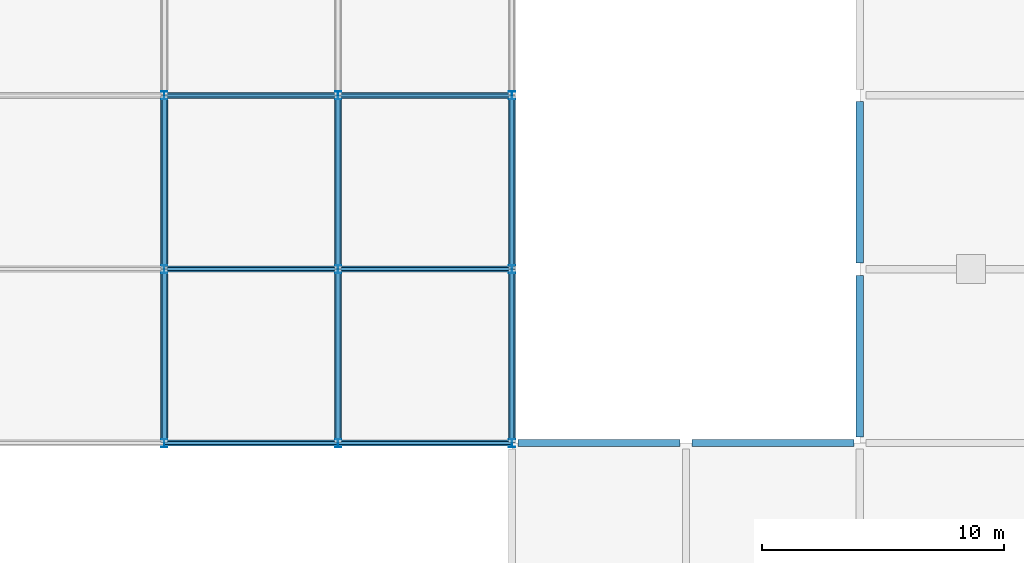
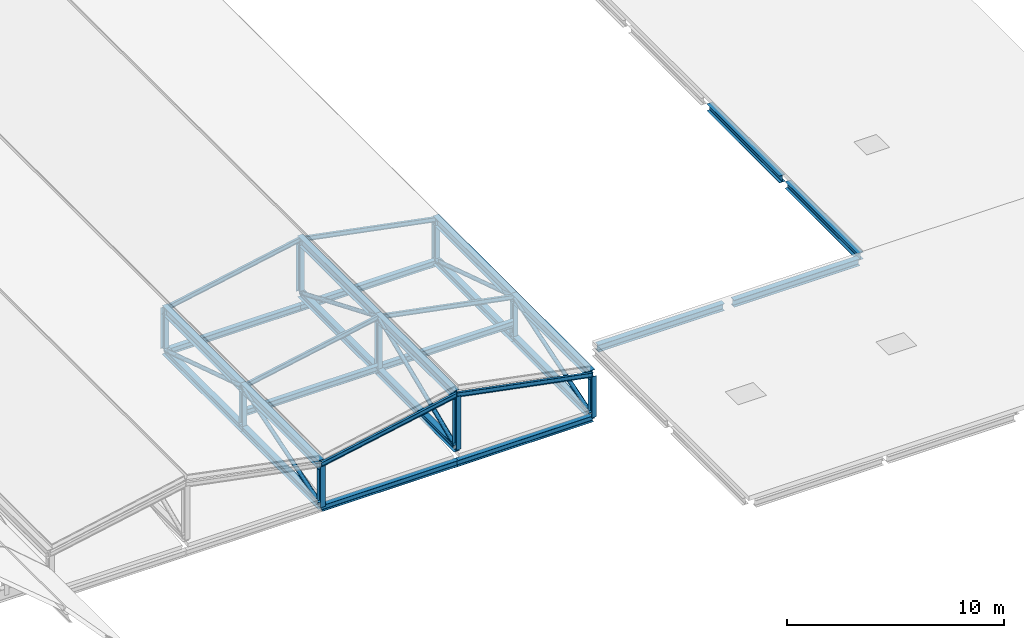
# One storey, part 38 of 60: 33 members, 10 beams.
"""IFC4 building model written with IfcOpenShell, lengths in metres."""

from ifc_helpers import new_model, si_unit, direction, frame, origin, origin_2d, place, context, subcontext, project, spatial, hollow_circle, i_section, extrude, material, material_profile, profile_set, type_object, element, save


model = new_model("IFC4")

# Units and contexts
model_context = context("Model", 3, precision=1e-05, world=origin(), true_north=direction((0.0, 1.0)))
body_context = subcontext(model_context, "Body", "Model", "MODEL_VIEW")
ifc_project = project(units=[si_unit("LENGTHUNIT", "METRE"), si_unit("AREAUNIT", "SQUARE_METRE"), si_unit("VOLUMEUNIT", "CUBIC_METRE"), si_unit("PLANEANGLEUNIT", "RADIAN"), si_unit("MASSUNIT", "GRAM", prefix="KILO")], contexts=[model_context])

# Site, building, storey
site_placement = place(None, origin())
site = spatial("IfcSite", under=ifc_project, at=site_placement, CompositionType="ELEMENT")
building_placement = place(site_placement, origin())
building = spatial("IfcBuilding", under=site, at=building_placement, Name="Vesperath Aquatics Centre", CompositionType="ELEMENT")
storey_placement = place(building_placement, frame((0.0, 0.0, 27.60009765625)))
storey = spatial("IfcBuildingStorey", under=building, at=storey_placement, Name="RF", CompositionType="ELEMENT", Elevation=27.60009765625)

# Beams
ifc_material_1 = material(Name="Steel Q355C", Category="steel")
ifc_material_profile_1 = material_profile(ifc_material_1, i_section(OverallWidth=0.300048828125, OverallDepth=0.389892578125, WebThickness=0.010009765625, FlangeThickness=0.01611328125, FilletRadius=0.02197265625, at=origin_2d()), Name="HM 390x300x10x16")
ifc_profile_set_1 = profile_set([ifc_material_profile_1], Name="Steel Q355C")
beam_type_1 = type_object("IfcBeamType", Name="BM-RB01", PredefinedType="BEAM", material=ifc_profile_set_1)
for number, where, z_axis, x_axis, name in (
    (1, (144.25, 64.800048828125, -8.755126953125), (1.0, 0.0, 0.0), (0.0, 1.0, 0.0), "Flat Roof Girder B11 RF K 21-22"),
    (2, (151.449951171875, 64.800048828125, -8.755126953125), (1.0, 0.0, 0.0), (0.0, 1.0, 0.0), "Flat Roof Girder B11 RF K 22-23"),
    (3, (158.39990234375, 65.050048828125, -8.755126953125), (0.0, 1.0, 0.0), (-1.0, 0.0, 0.0), "Flat Roof Girder B11 RF 23 K-L"),
    (4, (158.39990234375, 72.25, -8.755126953125), (0.0, 1.0, 0.0), (-1.0, 0.0, 0.0), "Flat Roof Girder B11 RF 23 L-M"),
):
    element("IfcBeam", number, at=place(storey_placement, frame(where, z_axis=z_axis, x_axis=x_axis)), inside=storey, type_object=beam_type_1, Name=name, PredefinedType="BEAM", context=body_context, shape_type="SweptSolid", body=[
        extrude(i_section(OverallWidth=0.300048828125, OverallDepth=0.389892578125, WebThickness=0.010009765625, FlangeThickness=0.01611328125, FilletRadius=0.02197265625, at=origin_2d()), origin(), (0.0, 0.0, 1.0), 6.699951171875),
    ])
ifc_material_profile_2 = material_profile(ifc_material_1, i_section(OverallWidth=0.25, OverallDepth=0.340087890625, WebThickness=0.009033203125, FlangeThickness=0.013916015625, FilletRadius=0.02001953125, at=origin_2d()), Name="HM 340x250x9x14")
ifc_profile_set_2 = profile_set([ifc_material_profile_2], Name="Steel Q355C")
beam_type_2 = type_object("IfcBeamType", Name="BM-RB04", PredefinedType="BEAM", material=ifc_profile_set_2)
for number, where, z_axis, x_axis, name in (
    (5, (129.60009765625, 64.800048828125, -12.60498046875), (1.0, 0.0, 0.0), (0.0, 1.0, 0.0), "Training Roof Support Beam B12 19-64.8"),
    (6, (129.60009765625, 79.199951171875, -12.60498046875), (1.0, 0.0, 0.0), (0.0, 1.0, 0.0), "Training Roof Support Beam B12 19-79.2"),
    (7, (136.800048828125, 64.800048828125, -12.60498046875), (1.0, 0.0, 0.0), (0.0, 1.0, 0.0), "Training Roof Support Beam B12 20-64.8"),
    (8, (136.800048828125, 79.199951171875, -12.60498046875), (1.0, 0.0, 0.0), (0.0, 1.0, 0.0), "Training Roof Support Beam B12 20-79.2"),
):
    element("IfcBeam", number, at=place(storey_placement, frame(where, z_axis=z_axis, x_axis=x_axis)), inside=storey, type_object=beam_type_2, Name=name, PredefinedType="BEAM", context=body_context, shape_type="SweptSolid", body=[
        extrude(i_section(OverallWidth=0.25, OverallDepth=0.340087890625, WebThickness=0.009033203125, FlangeThickness=0.013916015625, FilletRadius=0.02001953125, at=origin_2d()), origin(), (0.0, 0.0, 1.0), 7.199951171875),
    ])
ifc_material_profile_3 = material_profile(ifc_material_1, i_section(OverallWidth=0.25, OverallDepth=0.340087890625, WebThickness=0.009033203125, FlangeThickness=0.013916015625, FilletRadius=0.02001953125, at=origin_2d()), Name="HM 340x250x9x14")
ifc_profile_set_3 = profile_set([ifc_material_profile_3], Name="Steel Q355C")
beam_type_3 = type_object("IfcBeamType", Name="BM-RB05", PredefinedType="BEAM", material=ifc_profile_set_3)
for number, where, z_axis, x_axis, name in (
    (9, (129.60009765625, 72.0, -11.644287109375), (1.0, 0.0, 0.0), (0.0, 1.0, 0.0), "Training Roof Support Beam B12 19-72.0"),
    (10, (136.800048828125, 72.0, -11.644287109375), (1.0, 0.0, 0.0), (0.0, 1.0, 0.0), "Training Roof Support Beam B12 20-72.0"),
):
    element("IfcBeam", number, at=place(storey_placement, frame(where, z_axis=z_axis, x_axis=x_axis)), inside=storey, type_object=beam_type_3, Name=name, PredefinedType="BEAM", context=body_context, shape_type="SweptSolid", body=[
        extrude(i_section(OverallWidth=0.25, OverallDepth=0.340087890625, WebThickness=0.009033203125, FlangeThickness=0.013916015625, FilletRadius=0.02001953125, at=origin_2d()), origin(), (0.0, 0.0, 1.0), 7.199951171875),
    ])

# Members
ifc_material_2 = material(Name="Steel Q355D", Category="steel")
ifc_material_profile_4 = material_profile(ifc_material_2, i_section(OverallWidth=0.300048828125, OverallDepth=0.389892578125, WebThickness=0.010009765625, FlangeThickness=0.01611328125, FilletRadius=0.02197265625, at=origin_2d()), Name="HM 390x300x10x16")
ifc_profile_set_4 = profile_set([ifc_material_profile_4], Name="Steel Q355D")
member_type_1 = type_object("IfcMemberType", Name="MB-BC03", PredefinedType="CHORD", material=ifc_profile_set_4)
for number, where, z_axis, x_axis, name in (
    (11, (129.60009765625, 64.800048828125, -12.5), (0.0, 1.0, 0.0), (-1.0, 0.0, 0.0), "Training Hall ROOF TRUSS Bottom Chord BC03 G19-1"),
    (12, (129.60009765625, 72.0, -12.5), (0.0, 1.0, 0.0), (-1.0, 0.0, 0.0), "Training Hall ROOF TRUSS Bottom Chord BC03 G19-2"),
    (13, (136.800048828125, 64.800048828125, -11.800048828125), (0.0, 1.0, 0.0), (-1.0, 0.0, 0.0), "Training Hall ROOF TRUSS Bottom Chord BC03 G20-1"),
    (14, (136.800048828125, 72.0, -11.800048828125), (0.0, 1.0, 0.0), (-1.0, 0.0, 0.0), "Training Hall ROOF TRUSS Bottom Chord BC03 G20-2"),
    (15, (144.0, 64.800048828125, -12.5), (0.0, 1.0, 0.0), (-1.0, 0.0, 0.0), "Training Hall ROOF TRUSS Bottom Chord BC03 G21-1"),
    (16, (144.0, 72.0, -12.5), (0.0, 1.0, 0.0), (-1.0, 0.0, 0.0), "Training Hall ROOF TRUSS Bottom Chord BC03 G21-2"),
):
    element("IfcMember", number, at=place(storey_placement, frame(where, z_axis=z_axis, x_axis=x_axis)), inside=storey, type_object=member_type_1, Name=name, PredefinedType="CHORD", context=body_context, shape_type="SweptSolid", body=[
        extrude(i_section(OverallWidth=0.300048828125, OverallDepth=0.389892578125, WebThickness=0.010009765625, FlangeThickness=0.01611328125, FilletRadius=0.02197265625, at=origin_2d()), origin(), (0.0, 0.0, 1.0), 7.199951171875),
    ])
ifc_material_profile_5 = material_profile(ifc_material_1, i_section(OverallWidth=0.125, OverallDepth=0.25, WebThickness=0.006103515625, FlangeThickness=0.009033203125, FilletRadius=0.010009765625, at=origin_2d()), Name="HN 250x125x6x9")
ifc_profile_set_5 = profile_set([ifc_material_profile_5], Name="Steel Q355C")
member_type_2 = type_object("IfcMemberType", Name="MB-PR03", PredefinedType="PURLIN", material=ifc_profile_set_5)
for number, where, z_axis, x_axis, name in (
    (17, (129.60009765625, 64.800048828125, -10.2001953125), (0.98161140514, 0.0, 0.190890149825), (0.0, 1.0, 0.0), "Training Hall Roof Purlin PR03 19-1"),
    (18, (129.60009765625, 72.0, -10.2001953125), (0.98161140514, 0.0, 0.190890149825), (0.0, 1.0, 0.0), "Training Hall Roof Purlin PR03 19-2"),
    (19, (129.60009765625, 79.199951171875, -10.2001953125), (0.98161140514, 0.0, 0.190890149825), (0.0, 1.0, 0.0), "Training Hall Roof Purlin PR03 19-3"),
    (20, (136.800048828125, 64.800048828125, -8.800048828125), (0.98161140514, 0.0, -0.190890149825), (0.0, 1.0, 0.0), "Training Hall Roof Purlin PR03 20-1"),
    (21, (136.800048828125, 72.0, -8.800048828125), (0.98161140514, 0.0, -0.190890149825), (0.0, 1.0, 0.0), "Training Hall Roof Purlin PR03 20-2"),
    (22, (136.800048828125, 79.199951171875, -8.800048828125), (0.98161140514, 0.0, -0.190890149825), (0.0, 1.0, 0.0), "Training Hall Roof Purlin PR03 20-3"),
):
    element("IfcMember", number, at=place(storey_placement, frame(where, z_axis=z_axis, x_axis=x_axis)), inside=storey, type_object=member_type_2, Name=name, PredefinedType="PURLIN", context=body_context, shape_type="SweptSolid", body=[
        extrude(i_section(OverallWidth=0.125, OverallDepth=0.25, WebThickness=0.006103515625, FlangeThickness=0.009033203125, FilletRadius=0.010009765625, at=origin_2d()), origin(), (0.0, 0.0, 1.0), 7.334716796875),
    ])
ifc_material_profile_6 = material_profile(ifc_material_2, i_section(OverallWidth=0.300048828125, OverallDepth=0.488037109375, WebThickness=0.010986328125, FlangeThickness=0.01806640625, FilletRadius=0.02587890625, at=origin_2d()), Name="HM 488x300x11x18")
ifc_profile_set_6 = profile_set([ifc_material_profile_6], Name="Steel Q355D")
member_type_3 = type_object("IfcMemberType", Name="MB-TC04", PredefinedType="CHORD", material=ifc_profile_set_6)
for number, where, z_axis, x_axis, name in (
    (23, (129.60009765625, 64.800048828125, -10.2001953125), (0.0, 1.0, 0.0), (-1.0, 0.0, 0.0), "Training Hall ROOF TRUSS Top Chord TC04 G19-1"),
    (24, (129.60009765625, 72.0, -10.2001953125), (0.0, 1.0, 0.0), (-1.0, 0.0, 0.0), "Training Hall ROOF TRUSS Top Chord TC04 G19-2"),
    (25, (136.800048828125, 64.800048828125, -8.800048828125), (0.0, 1.0, 0.0), (-1.0, 0.0, 0.0), "Training Hall ROOF TRUSS Top Chord TC04 G20-1"),
    (26, (136.800048828125, 72.0, -8.800048828125), (0.0, 1.0, 0.0), (-1.0, 0.0, 0.0), "Training Hall ROOF TRUSS Top Chord TC04 G20-2"),
    (27, (144.0, 64.800048828125, -10.2001953125), (0.0, 1.0, 0.0), (-1.0, 0.0, 0.0), "Training Hall ROOF TRUSS Top Chord TC04 G21-1"),
    (28, (144.0, 72.0, -10.2001953125), (0.0, 1.0, 0.0), (-1.0, 0.0, 0.0), "Training Hall ROOF TRUSS Top Chord TC04 G21-2"),
):
    element("IfcMember", number, at=place(storey_placement, frame(where, z_axis=z_axis, x_axis=x_axis)), inside=storey, type_object=member_type_3, Name=name, PredefinedType="CHORD", context=body_context, shape_type="SweptSolid", body=[
        extrude(i_section(OverallWidth=0.300048828125, OverallDepth=0.488037109375, WebThickness=0.010986328125, FlangeThickness=0.01806640625, FilletRadius=0.02587890625, at=origin_2d()), origin(), (0.0, 0.0, 1.0), 7.199951171875),
    ])
ifc_material_profile_7 = material_profile(ifc_material_2, hollow_circle(Radius=0.109619140625, WallThickness=0.010009765625, at=origin_2d()), Name="CHS 219.1x10")
ifc_profile_set_7 = profile_set([ifc_material_profile_7], Name="Steel Q355D")
member_type_4 = type_object("IfcMemberType", Name="MB-TD04", PredefinedType="BRACE", material=ifc_profile_set_7)
for number, where, z_axis, x_axis, name in (
    (29, (129.60009765625, 64.876220703125, -12.475830078125), (0.0, 0.952571930303, 0.304313518594), (-1.0, 0.0, 0.0), "Training Hall ROOF TRUSS Diagonal TD04 G19-1"),
    (30, (129.60009765625, 72.076171875, -10.224365234375), (0.0, 0.952571930303, -0.304313518594), (-1.0, 0.0, 0.0), "Training Hall ROOF TRUSS Diagonal TD04 G19-2"),
):
    element("IfcMember", number, at=place(storey_placement, frame(where, z_axis=z_axis, x_axis=x_axis)), inside=storey, type_object=member_type_4, Name=name, PredefinedType="BRACE", context=body_context, shape_type="SweptSolid", body=[
        extrude(hollow_circle(Radius=0.109619140625, WallThickness=0.010009765625, at=origin_2d()), origin(), (0.0, 0.0, 1.0), 7.3984375),
    ])
for number, where, z_axis, x_axis, name in (
    (31, (136.800048828125, 64.873779296875, -11.769287109375), (0.0, 0.923079759281, 0.384608577655), (-1.0, 0.0, 0.0), "Training Hall ROOF TRUSS Diagonal TD04 G20-1"),
    (32, (136.800048828125, 72.07373046875, -8.830810546875), (0.0, 0.923079759281, -0.384608577655), (-1.0, 0.0, 0.0), "Training Hall ROOF TRUSS Diagonal TD04 G20-2"),
):
    element("IfcMember", number, at=place(storey_placement, frame(where, z_axis=z_axis, x_axis=x_axis)), inside=storey, type_object=member_type_4, Name=name, PredefinedType="BRACE", context=body_context, shape_type="SweptSolid", body=[
        extrude(hollow_circle(Radius=0.109619140625, WallThickness=0.010009765625, at=origin_2d()), origin(), (0.0, 0.0, 1.0), 7.64013671875),
    ])
for number, where, z_axis, x_axis, name in (
    (33, (144.0, 64.876220703125, -12.475830078125), (0.0, 0.952571930303, 0.304313518594), (-1.0, 0.0, 0.0), "Training Hall ROOF TRUSS Diagonal TD04 G21-1"),
    (34, (144.0, 72.076171875, -10.224365234375), (0.0, 0.952571930303, -0.304313518594), (-1.0, 0.0, 0.0), "Training Hall ROOF TRUSS Diagonal TD04 G21-2"),
):
    element("IfcMember", number, at=place(storey_placement, frame(where, z_axis=z_axis, x_axis=x_axis)), inside=storey, type_object=member_type_4, Name=name, PredefinedType="BRACE", context=body_context, shape_type="SweptSolid", body=[
        extrude(hollow_circle(Radius=0.109619140625, WallThickness=0.010009765625, at=origin_2d()), origin(), (0.0, 0.0, 1.0), 7.3984375),
    ])
ifc_material_profile_8 = material_profile(ifc_material_2, i_section(OverallWidth=0.25, OverallDepth=0.340087890625, WebThickness=0.009033203125, FlangeThickness=0.013916015625, FilletRadius=0.02001953125, at=origin_2d()), Name="HM 340x250x9x14")
ifc_profile_set_8 = profile_set([ifc_material_profile_8], Name="Steel Q355D")
member_type_5 = type_object("IfcMemberType", Name="MB-TP02", PredefinedType="POST", material=ifc_profile_set_8)
for number, where, z_axis, x_axis, name in (
    (35, (129.60009765625, 64.800048828125, -12.5), (0.0, 0.0, 1.0), (1.0, 0.0, 0.0), "Training Hall ROOF TRUSS Post TP02 G19-1"),
    (36, (129.60009765625, 72.0, -12.5), (0.0, 0.0, 1.0), (1.0, 0.0, 0.0), "Training Hall ROOF TRUSS Post TP02 G19-2"),
    (37, (129.60009765625, 79.199951171875, -12.5), (0.0, 0.0, 1.0), (1.0, 0.0, 0.0), "Training Hall ROOF TRUSS Post TP02 G19-3"),
):
    element("IfcMember", number, at=place(storey_placement, frame(where, z_axis=z_axis, x_axis=x_axis)), inside=storey, type_object=member_type_5, Name=name, PredefinedType="POST", context=body_context, shape_type="SweptSolid", body=[
        extrude(i_section(OverallWidth=0.25, OverallDepth=0.340087890625, WebThickness=0.009033203125, FlangeThickness=0.013916015625, FilletRadius=0.02001953125, at=origin_2d()), origin(), (0.0, 0.0, 1.0), 2.2998046875),
    ])
for number, where, z_axis, x_axis, name in (
    (38, (136.800048828125, 64.800048828125, -11.800048828125), (0.0, 0.0, 1.0), (1.0, 0.0, 0.0), "Training Hall ROOF TRUSS Post TP02 G20-1"),
    (39, (136.800048828125, 72.0, -11.800048828125), (0.0, 0.0, 1.0), (1.0, 0.0, 0.0), "Training Hall ROOF TRUSS Post TP02 G20-2"),
    (40, (136.800048828125, 79.199951171875, -11.800048828125), (0.0, 0.0, 1.0), (1.0, 0.0, 0.0), "Training Hall ROOF TRUSS Post TP02 G20-3"),
):
    element("IfcMember", number, at=place(storey_placement, frame(where, z_axis=z_axis, x_axis=x_axis)), inside=storey, type_object=member_type_5, Name=name, PredefinedType="POST", context=body_context, shape_type="SweptSolid", body=[
        extrude(i_section(OverallWidth=0.25, OverallDepth=0.340087890625, WebThickness=0.009033203125, FlangeThickness=0.013916015625, FilletRadius=0.02001953125, at=origin_2d()), origin(), (0.0, 0.0, 1.0), 3.0),
    ])
for number, where, z_axis, x_axis, name in (
    (41, (144.0, 64.800048828125, -12.5), (0.0, 0.0, 1.0), (1.0, 0.0, 0.0), "Training Hall ROOF TRUSS Post TP02 G21-1"),
    (42, (144.0, 72.0, -12.5), (0.0, 0.0, 1.0), (1.0, 0.0, 0.0), "Training Hall ROOF TRUSS Post TP02 G21-2"),
    (43, (144.0, 79.199951171875, -12.5), (0.0, 0.0, 1.0), (1.0, 0.0, 0.0), "Training Hall ROOF TRUSS Post TP02 G21-3"),
):
    element("IfcMember", number, at=place(storey_placement, frame(where, z_axis=z_axis, x_axis=x_axis)), inside=storey, type_object=member_type_5, Name=name, PredefinedType="POST", context=body_context, shape_type="SweptSolid", body=[
        extrude(i_section(OverallWidth=0.25, OverallDepth=0.340087890625, WebThickness=0.009033203125, FlangeThickness=0.013916015625, FilletRadius=0.02001953125, at=origin_2d()), origin(), (0.0, 0.0, 1.0), 2.2998046875),
    ])

save(model, "model.ifc")
